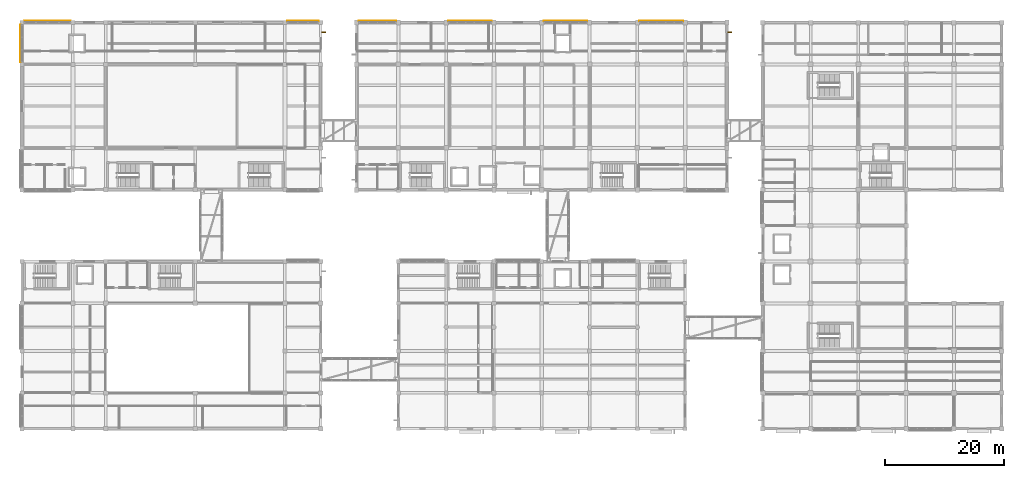
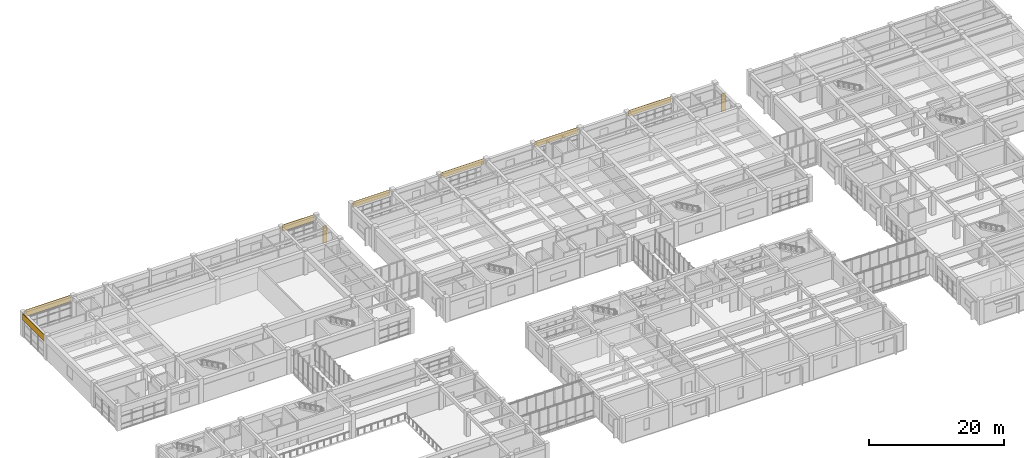
# One storey, part 68 of 70: 7 coverings, 2 shading devices.
"""IFC4 building model written with IfcOpenShell, lengths in metres."""

from ifc_helpers import new_model, si_unit, direction, frame, origin, origin_2d, place, context, subcontext, project, spatial, rectangle, extrude, material, layer, layer_set, type_object, element, save


model = new_model("IFC4")

# Units and contexts
model_context = context("Model", 3, precision=1e-05, world=origin(), true_north=direction((0.0, 1.0)))
body_context = subcontext(model_context, "Body", "Model", "MODEL_VIEW")
ifc_project = project(units=[si_unit("LENGTHUNIT", "METRE"), si_unit("AREAUNIT", "SQUARE_METRE"), si_unit("VOLUMEUNIT", "CUBIC_METRE"), si_unit("PLANEANGLEUNIT", "RADIAN"), si_unit("MASSUNIT", "GRAM", prefix="KILO")], contexts=[model_context])

# Site, building, storey
site_placement = place(None, origin())
site = spatial("IfcSite", under=ifc_project, at=site_placement, CompositionType="ELEMENT")
building_placement = place(site_placement, origin())
building = spatial("IfcBuilding", under=site, at=building_placement, Name="Naurynzar Civic Courthouse", CompositionType="ELEMENT")
storey_placement = place(building_placement, frame((0.0, 0.0, 5.39990234375)))
storey = spatial("IfcBuildingStorey", under=building, at=storey_placement, Name="L02", CompositionType="ELEMENT", Elevation=5.39990234375)

# Coverings
ifc_material_1 = material(Name="Precast concrete C40/50", Category="concrete")
ifc_layer = layer(ifc_material_1, 0.080078125)
ifc_layer_set = layer_set([ifc_layer], Name="COV-CLAD-PRECAST-80")
covering_type = type_object("IfcCoveringType", Name="COV-CLAD-PRECAST-80", PredefinedType="CLADDING", material=ifc_layer_set)
covering_1_placement = place(storey_placement, frame((5.7451171875, 68.5, 3.110107421875), z_axis=(0.0, 0.0, 1.0), x_axis=(0.0, 1.0, 0.0)))
element("IfcCovering", 1, at=covering_1_placement, inside=storey, type_object=covering_type, Name="V1 precast spandrel cladding 2", PredefinedType="CLADDING", context=body_context, shape_type="SweptSolid", body=[
    extrude(rectangle(XDim=6.300048828125, YDim=0.080078125, at=origin_2d()), origin(), (0.0, 0.0, 1.0), 1.1298828125),
])
covering_2_placement = place(storey_placement, frame((10.25, 72.2548828125, 3.110107421875), z_axis=(0.0, 0.0, 1.0), x_axis=(1.0, 0.0, 0.0)))
element("IfcCovering", 2, at=covering_2_placement, inside=storey, type_object=covering_type, Name="V1 precast spandrel cladding 3", PredefinedType="CLADDING", context=body_context, shape_type="SweptSolid", body=[
    extrude(rectangle(XDim=7.800048828125, YDim=0.080078125, at=origin_2d()), origin(), (0.0, 0.0, 1.0), 1.1298828125),
])
covering_3_placement = place(storey_placement, frame((53.0, 72.2548828125, 3.110107421875), z_axis=(0.0, 0.0, 1.0), x_axis=(1.0, 0.0, 0.0)))
element("IfcCovering", 3, at=covering_3_placement, inside=storey, type_object=covering_type, Name="V1 precast spandrel cladding 4", PredefinedType="CLADDING", context=body_context, shape_type="SweptSolid", body=[
    extrude(rectangle(XDim=5.300048828125, YDim=0.080078125, at=origin_2d()), origin(), (0.0, 0.0, 1.0), 1.1298828125),
])
covering_4_placement = place(storey_placement, frame((65.5, 72.2548828125, 3.22998046875), z_axis=(0.0, 0.0, 1.0), x_axis=(1.0, 0.0, 0.0)))
element("IfcCovering", 4, at=covering_4_placement, inside=storey, type_object=covering_type, Name="V2 precast spandrel cladding 19", PredefinedType="CLADDING", context=body_context, shape_type="SweptSolid", body=[
    extrude(rectangle(XDim=6.300048828125, YDim=0.080078125, at=origin_2d()), origin(), (0.0, 0.0, 1.0), 0.969970703125),
])
for number, where, z_axis, x_axis, name in (
    (5, (81.0, 72.2548828125, 3.22998046875), (0.0, 0.0, 1.0), (1.0, 0.0, 0.0), "V2 precast spandrel cladding 20"),
    (6, (97.0, 72.2548828125, 3.22998046875), (0.0, 0.0, 1.0), (1.0, 0.0, 0.0), "V2 precast spandrel cladding 21"),
    (7, (113.0, 72.2548828125, 3.22998046875), (0.0, 0.0, 1.0), (1.0, 0.0, 0.0), "V2 precast spandrel cladding 22"),
):
    element("IfcCovering", number, at=place(storey_placement, frame(where, z_axis=z_axis, x_axis=x_axis)), inside=storey, type_object=covering_type, Name=name, PredefinedType="CLADDING", context=body_context, shape_type="SweptSolid", body=[
        extrude(rectangle(XDim=7.300048828125, YDim=0.080078125, at=origin_2d()), origin(), (0.0, 0.0, 1.0), 0.969970703125),
    ])

# Shading devices
ifc_material_2 = material(Name="Precast concrete C40/50", Category="concrete")
shading_device_type = type_object("IfcShadingDeviceType", Name="SHD-FIN-V650", PredefinedType="JALOUSIE", material=ifc_material_2)
shading_device_1_placement = place(storey_placement, frame((56.47998046875, 70.389892578125, 0.0400390625), z_axis=(0.0, 0.0, 1.0), x_axis=(0.0, -1.0, 0.0)))
element("IfcShadingDevice", 8, at=shading_device_1_placement, inside=storey, type_object=shading_device_type, Name="V1 vertical brise-soleil fin 1", PredefinedType="JALOUSIE", context=body_context, shape_type="SweptSolid", body=[
    extrude(rectangle(XDim=0.179931640625, YDim=0.64990234375, at=origin_2d()), origin(), (0.0, 0.0, 1.0), 3.030029296875),
])
shading_device_2_placement = place(storey_placement, frame((124.469970703125, 70.344970703125, 0.0400390625), z_axis=(0.0, 0.0, 1.0), x_axis=(0.0, -1.0, 0.0)))
element("IfcShadingDevice", 9, at=shading_device_2_placement, inside=storey, type_object=shading_device_type, Name="V2 vertical brise-soleil fin 9", PredefinedType="JALOUSIE", context=body_context, shape_type="SweptSolid", body=[
    extrude(rectangle(XDim=0.179931640625, YDim=0.64990234375, at=origin_2d()), origin(), (0.0, 0.0, 1.0), 3.14990234375),
])

save(model, "model.ifc")
